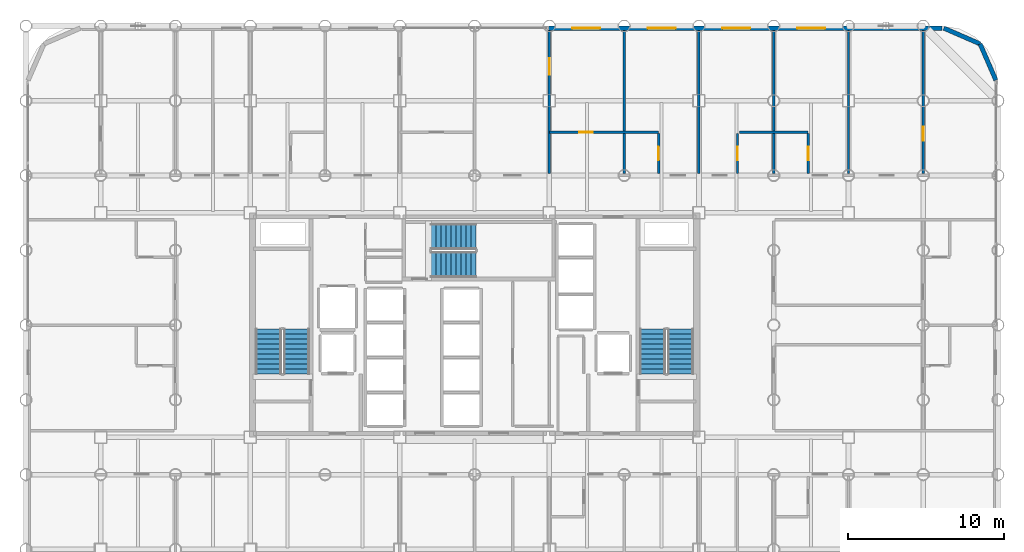
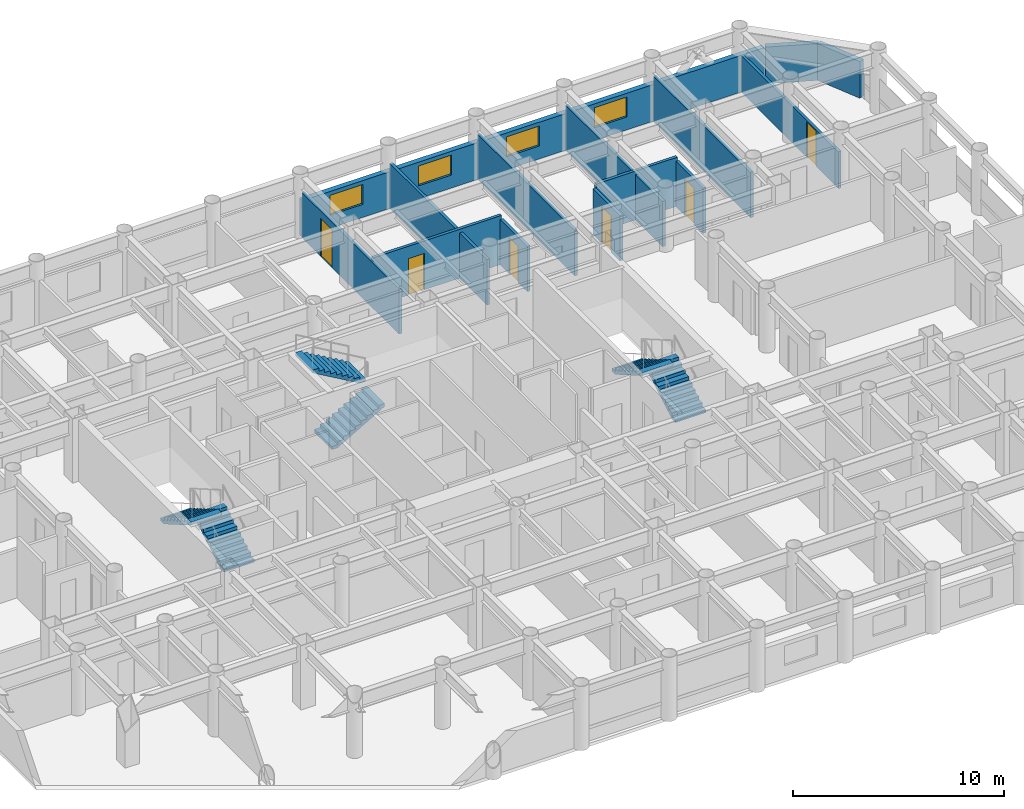
# One storey, part 19 of 20: 14 walls, 6 doors, 6 stair flights, 4 windows, 10 openings, 3 elements without a shape of their own.
"""IFC4 building model written with IfcOpenShell, lengths in metres."""

from ifc_helpers import new_model, si_unit, direction, frame, frame_2d, origin, place, context, subcontext, project, spatial, polyline, rectangle, outline, extrude, material, layer, layer_set, type_object, element, fill, aggregate, save


model = new_model("IFC4")

# Units and contexts
model_context = context("Model", 3, precision=1e-05, world=origin(), true_north=direction((0.0, 1.0)))
body_context = subcontext(model_context, "Body", "Model", "MODEL_VIEW")
ifc_project = project(units=[si_unit("LENGTHUNIT", "METRE"), si_unit("AREAUNIT", "SQUARE_METRE"), si_unit("VOLUMEUNIT", "CUBIC_METRE"), si_unit("PLANEANGLEUNIT", "RADIAN"), si_unit("MASSUNIT", "GRAM", prefix="KILO")], contexts=[model_context])

# Site, building, storey
site_placement = place(None, origin())
site = spatial("IfcSite", under=ifc_project, at=site_placement, CompositionType="ELEMENT")
building_placement = place(site_placement, origin())
building = spatial("IfcBuilding", under=site, at=building_placement, Name="Kallvorn Hotel Tower", CompositionType="ELEMENT")
storey_placement = place(building_placement, frame((0.0, 0.0, 74.39990234375)))
storey = spatial("IfcBuildingStorey", under=building, at=storey_placement, Name="L17", CompositionType="ELEMENT", Elevation=74.39990234375)

# Wall, opening, door
ifc_material_1 = material(Name="Fire-rated double-layer acoustic gypsum drywall EI 60")
ifc_layer_1 = layer(ifc_material_1, 0.159912109375)
ifc_layer_set_1 = layer_set([ifc_layer_1], Name="WL_DEMISE_160")
wall_type_1 = type_object("IfcWallType", Name="WL_DEMISE_160", PredefinedType="PARTITIONING", material=ifc_layer_set_1)
wall_1_placement = place(storey_placement, frame((4.800048828125, 12.3701171875, 0.0), z_axis=(0.0, 0.0, 1.0), x_axis=(1.0, 0.0, 0.0)))
wall_1 = element("IfcWall", 1, at=wall_1_placement, inside=storey, type_object=wall_type_1, Name="L17 Suite 1711 Junior Bedroom Partition", PredefinedType="PARTITIONING", context=body_context, shape_type="SweptSolid", body=[
    extrude(rectangle(XDim=7.010009765625, YDim=0.159912109375, at=frame_2d((3.5048828125, 0.0))), origin(), (0.0, 0.0, 1.0), 2.820068359375),
])
opening_1_placement = place(wall_1_placement, frame((1.929931640625, 0.0, 0.0)))
opening_1 = element("IfcOpeningElement", 2, at=opening_1_placement, cuts=wall_1, Name="Opening BD-I", PredefinedType="OPENING", context=body_context, shape_type="SweptSolid", body=[
    extrude(rectangle(XDim=0.860107421875, YDim=2.10009765625, at=frame_2d((0.43017578125, 1.050048828125))), frame((0.0, 0.094970703125, 0.0), z_axis=(0.0, -1.0, 0.0), x_axis=(1.0, 0.0, 0.0)), (0.0, 0.0, 1.0), 0.18994140625),
])
ifc_material_2 = material(Name="Solid-core walnut veneer fire-rated timber door leaf", Category="wood")
door_type_1 = type_object("IfcDoorType", Name="DR_BATH_860x2100", OperationType="NOTDEFINED", PredefinedType="DOOR", material=ifc_material_2)
door_1_placement = place(opening_1_placement, origin())
door_1 = element("IfcDoor", 3, at=door_1_placement, inside=storey, type_object=door_type_1, Name="L17 Suite 1711 En-Suite Bathroom Door", OperationType="SINGLE_SWING_LEFT", OverallHeight=2.10009765625, OverallWidth=0.860107421875, PredefinedType="DOOR", context=body_context, shape_type="SweptSolid", body=[
    extrude(rectangle(XDim=0.860107421875, YDim=2.10009765625, at=frame_2d((0.43017578125, 1.050048828125))), frame((0.0, 0.02490234375, 0.0), z_axis=(0.0, -1.0, 0.0), x_axis=(1.0, 0.0, 0.0)), (0.0, 0.0, 1.0), 0.050048828125),
])
fill(opening_1, door_1)

# Wall
wall_2_placement = place(storey_placement, frame((16.989990234375, 12.3701171875, 0.0), z_axis=(0.0, 0.0, 1.0), x_axis=(1.0, 0.0, 0.0)))
element("IfcWall", 4, at=wall_2_placement, inside=storey, type_object=wall_type_1, Name="L17 Suite 1713 Standard Twin Room Partition", PredefinedType="PARTITIONING", context=body_context, shape_type="SweptSolid", body=[
    extrude(rectangle(XDim=4.419921875, YDim=0.159912109375, at=frame_2d((2.2099609375, 0.0))), origin(), (0.0, 0.0, 1.0), 2.820068359375),
])

# Wall, opening, door
wall_3_placement = place(storey_placement, frame((4.800048828125, 9.719970703125, 0.0), z_axis=(0.0, 0.0, 1.0), x_axis=(0.0, 1.0, 0.0)))
wall_3 = element("IfcWall", 5, at=wall_3_placement, inside=storey, type_object=wall_type_1, Name="L17 Suite 1711 Junior Living Salon Partition", PredefinedType="PARTITIONING", context=body_context, shape_type="SweptSolid", body=[
    extrude(rectangle(XDim=9.18994140625, YDim=0.159912109375, at=frame_2d((4.594970703125, 0.0))), origin(), (0.0, 0.0, 1.0), 2.6201171875),
])
opening_2_placement = place(wall_3_placement, frame((6.346923828125, 0.0, 0.0)))
opening_2 = element("IfcOpeningElement", 6, at=opening_2_placement, cuts=wall_3, Name="Opening GD2", PredefinedType="OPENING", context=body_context, shape_type="SweptSolid", body=[
    extrude(rectangle(XDim=1.050048828125, YDim=2.199951171875, at=frame_2d((0.52490234375, 1.10009765625))), frame((0.0, 0.094970703125, 0.0), z_axis=(0.0, -1.0, 0.0), x_axis=(1.0, 0.0, 0.0)), (0.0, 0.0, 1.0), 0.18994140625),
])
ifc_material_3 = material(Name="Solid-core walnut veneer fire-rated timber door leaf", Category="wood")
door_type_2 = type_object("IfcDoorType", Name="DR_SUITE_1050x2200", OperationType="NOTDEFINED", PredefinedType="DOOR", material=ifc_material_3)
door_2_placement = place(opening_2_placement, origin())
door_2 = element("IfcDoor", 7, at=door_2_placement, inside=storey, type_object=door_type_2, Name="L17 Suite 1711 Junior Bedroom Door", OperationType="SINGLE_SWING_RIGHT", OverallHeight=2.199951171875, OverallWidth=1.050048828125, PredefinedType="DOOR", context=body_context, shape_type="SweptSolid", body=[
    extrude(rectangle(XDim=1.050048828125, YDim=2.199951171875, at=frame_2d((0.52490234375, 1.10009765625))), frame((0.0, 0.02490234375, 0.0), z_axis=(0.0, -1.0, 0.0), x_axis=(1.0, 0.0, 0.0)), (0.0, 0.0, 1.0), 0.050048828125),
])
fill(opening_2, door_2)

# Wall
wall_4_placement = place(storey_placement, frame((9.60009765625, 9.719970703125, 0.0), z_axis=(0.0, 0.0, 1.0), x_axis=(0.0, 1.0, 0.0)))
element("IfcWall", 8, at=wall_4_placement, inside=storey, type_object=wall_type_1, Name="L17 Suite 1712 Standard Twin Room Partition", PredefinedType="PARTITIONING", context=body_context, shape_type="SweptSolid", body=[
    extrude(rectangle(XDim=9.18994140625, YDim=0.159912109375, at=frame_2d((4.594970703125, 0.0))), origin(), (0.0, 0.0, 1.0), 2.6201171875),
])

# Wall, opening, door
wall_5_placement = place(storey_placement, frame((11.81005859375, 9.719970703125, 0.0), z_axis=(0.0, 0.0, 1.0), x_axis=(0.0, 1.0, 0.0)))
wall_5 = element("IfcWall", 9, at=wall_5_placement, inside=storey, type_object=wall_type_1, Name="L17 Suite 1712 Standard Twin Room Partition", PredefinedType="PARTITIONING", context=body_context, shape_type="SweptSolid", body=[
    extrude(rectangle(XDim=2.56494140625, YDim=0.159912109375, at=frame_2d((1.282470703125, 0.0))), origin(), (0.0, 0.0, 1.0), 2.6201171875),
])
opening_3_placement = place(wall_5_placement, frame((0.8701171875, 0.0, 0.0)))
opening_3 = element("IfcOpeningElement", 10, at=opening_3_placement, cuts=wall_5, Name="Opening BD-I", PredefinedType="OPENING", context=body_context, shape_type="SweptSolid", body=[
    extrude(rectangle(XDim=0.860107421875, YDim=2.10009765625, at=frame_2d((0.43017578125, 1.050048828125))), frame((0.0, 0.094970703125, 0.0), z_axis=(0.0, -1.0, 0.0), x_axis=(1.0, 0.0, 0.0)), (0.0, 0.0, 1.0), 0.18994140625),
])
door_3_placement = place(opening_3_placement, origin())
door_3 = element("IfcDoor", 11, at=door_3_placement, inside=storey, type_object=door_type_1, Name="L17 Suite 1712 En-Suite Bathroom Door", OperationType="SINGLE_SWING_LEFT", OverallHeight=2.10009765625, OverallWidth=0.860107421875, PredefinedType="DOOR", context=body_context, shape_type="SweptSolid", body=[
    extrude(rectangle(XDim=0.860107421875, YDim=2.10009765625, at=frame_2d((0.43017578125, 1.050048828125))), frame((0.0, 0.02490234375, 0.0), z_axis=(0.0, -1.0, 0.0), x_axis=(1.0, 0.0, 0.0)), (0.0, 0.0, 1.0), 0.050048828125),
])
fill(opening_3, door_3)

# Wall
wall_6_placement = place(storey_placement, frame((14.39990234375, 9.719970703125, 0.0), z_axis=(0.0, 0.0, 1.0), x_axis=(0.0, 1.0, 0.0)))
element("IfcWall", 12, at=wall_6_placement, inside=storey, type_object=wall_type_1, Name="L17 Suite 1712 Standard Twin Room Partition", PredefinedType="PARTITIONING", context=body_context, shape_type="SweptSolid", body=[
    extrude(rectangle(XDim=9.18994140625, YDim=0.159912109375, at=frame_2d((4.594970703125, 0.0))), origin(), (0.0, 0.0, 1.0), 2.6201171875),
])

# Wall, opening, door
wall_7_placement = place(storey_placement, frame((16.875, 9.719970703125, 0.0), z_axis=(0.0, 0.0, 1.0), x_axis=(0.0, 1.0, 0.0)))
wall_7 = element("IfcWall", 13, at=wall_7_placement, inside=storey, type_object=wall_type_1, Name="L17 Suite 1713 Standard Twin Room Partition", PredefinedType="PARTITIONING", context=body_context, shape_type="SweptSolid", body=[
    extrude(rectangle(XDim=2.56494140625, YDim=0.159912109375, at=frame_2d((1.282470703125, 0.0))), origin(), (0.0, 0.0, 1.0), 2.6201171875),
])
opening_4_placement = place(wall_7_placement, frame((0.8701171875, 0.0, 0.0)))
opening_4 = element("IfcOpeningElement", 14, at=opening_4_placement, cuts=wall_7, Name="Opening BD-I", PredefinedType="OPENING", context=body_context, shape_type="SweptSolid", body=[
    extrude(rectangle(XDim=0.860107421875, YDim=2.10009765625, at=frame_2d((0.43017578125, 1.050048828125))), frame((0.0, 0.094970703125, 0.0), z_axis=(0.0, -1.0, 0.0), x_axis=(1.0, 0.0, 0.0)), (0.0, 0.0, 1.0), 0.18994140625),
])
door_4_placement = place(opening_4_placement, origin())
door_4 = element("IfcDoor", 15, at=door_4_placement, inside=storey, type_object=door_type_1, Name="L17 Suite 1713 En-Suite Bathroom Door", OperationType="SINGLE_SWING_RIGHT", OverallHeight=2.10009765625, OverallWidth=0.860107421875, PredefinedType="DOOR", context=body_context, shape_type="SweptSolid", body=[
    extrude(rectangle(XDim=0.860107421875, YDim=2.10009765625, at=frame_2d((0.43017578125, 1.050048828125))), frame((0.0, 0.02490234375, 0.0), z_axis=(0.0, -1.0, 0.0), x_axis=(1.0, 0.0, 0.0)), (0.0, 0.0, 1.0), 0.050048828125),
])
fill(opening_4, door_4)

# Wall
wall_8_placement = place(storey_placement, frame((19.199951171875, 9.719970703125, 0.0), z_axis=(0.0, 0.0, 1.0), x_axis=(0.0, 1.0, 0.0)))
element("IfcWall", 16, at=wall_8_placement, inside=storey, type_object=wall_type_1, Name="L17 Suite 1713 Standard Twin Room Partition", PredefinedType="PARTITIONING", context=body_context, shape_type="SweptSolid", body=[
    extrude(rectangle(XDim=9.18994140625, YDim=0.159912109375, at=frame_2d((4.594970703125, 0.0))), origin(), (0.0, 0.0, 1.0), 2.6201171875),
])

# Wall, opening, door
wall_9_placement = place(storey_placement, frame((21.409912109375, 9.719970703125, 0.0), z_axis=(0.0, 0.0, 1.0), x_axis=(0.0, 1.0, 0.0)))
wall_9 = element("IfcWall", 17, at=wall_9_placement, inside=storey, type_object=wall_type_1, Name="L17 Suite 1714 Standard Twin Room Partition", PredefinedType="PARTITIONING", context=body_context, shape_type="SweptSolid", body=[
    extrude(rectangle(XDim=2.56494140625, YDim=0.159912109375, at=frame_2d((1.282470703125, 0.0))), origin(), (0.0, 0.0, 1.0), 2.6201171875),
])
opening_5_placement = place(wall_9_placement, frame((0.8701171875, 0.0, 0.0)))
opening_5 = element("IfcOpeningElement", 18, at=opening_5_placement, cuts=wall_9, Name="Opening BD-I", PredefinedType="OPENING", context=body_context, shape_type="SweptSolid", body=[
    extrude(rectangle(XDim=0.860107421875, YDim=2.10009765625, at=frame_2d((0.43017578125, 1.050048828125))), frame((0.0, 0.094970703125, 0.0), z_axis=(0.0, -1.0, 0.0), x_axis=(1.0, 0.0, 0.0)), (0.0, 0.0, 1.0), 0.18994140625),
])
door_5_placement = place(opening_5_placement, origin())
door_5 = element("IfcDoor", 19, at=door_5_placement, inside=storey, type_object=door_type_1, Name="L17 Suite 1714 En-Suite Bathroom Door", OperationType="SINGLE_SWING_RIGHT", OverallHeight=2.10009765625, OverallWidth=0.860107421875, PredefinedType="DOOR", context=body_context, shape_type="SweptSolid", body=[
    extrude(rectangle(XDim=0.860107421875, YDim=2.10009765625, at=frame_2d((0.43017578125, 1.050048828125))), frame((0.0, 0.02490234375, 0.0), z_axis=(0.0, -1.0, 0.0), x_axis=(1.0, 0.0, 0.0)), (0.0, 0.0, 1.0), 0.050048828125),
])
fill(opening_5, door_5)

# Walls
wall_10_placement = place(storey_placement, frame((24.0, 9.719970703125, 0.0), z_axis=(0.0, 0.0, 1.0), x_axis=(0.0, 1.0, 0.0)))
element("IfcWall", 20, at=wall_10_placement, inside=storey, type_object=wall_type_1, Name="L17 Suite 1714 Standard Twin Room Partition", PredefinedType="PARTITIONING", context=body_context, shape_type="SweptSolid", body=[
    extrude(rectangle(XDim=9.18994140625, YDim=0.159912109375, at=frame_2d((4.594970703125, 0.0))), origin(), (0.0, 0.0, 1.0), 2.6201171875),
])
ifc_material_4 = material(Name="Precast basalt-clad insulated concrete wall C40/50", Category="masonry")
ifc_layer_2 = layer(ifc_material_4, 0.280029296875)
ifc_layer_set_2 = layer_set([ifc_layer_2], Name="WL_EXT_LOGGIA_280")
wall_type_2 = type_object("IfcWallType", Name="WL_EXT_LOGGIA_280", PredefinedType="SOLIDWALL", material=ifc_layer_set_2)
wall_11_placement = place(storey_placement, frame((33.4580078125, 15.720703125, 0.0), z_axis=(0.0, 0.0, 1.0), x_axis=(-0.398792985289, 0.917040977756, 0.0)))
element("IfcWall", 21, at=wall_11_placement, inside=storey, type_object=wall_type_2, Name="L17 Rounded Corner Exterior Wall NE1", PredefinedType="SOLIDWALL", context=body_context, shape_type="SweptSolid", body=[
    extrude(rectangle(XDim=2.536376953125, YDim=0.280029296875, at=frame_2d((1.26806640625, 0.0))), origin(), (0.0, 0.0, 1.0), 2.1201171875),
])
wall_12_placement = place(storey_placement, frame((32.446533203125, 18.046630859375, 0.0), z_axis=(0.0, 0.0, 1.0), x_axis=(-0.917060872934, 0.398747232384, 0.0)))
element("IfcWall", 22, at=wall_12_placement, inside=storey, type_object=wall_type_2, Name="L17 Rounded Corner Exterior Wall NE2", PredefinedType="SOLIDWALL", context=body_context, shape_type="SweptSolid", body=[
    extrude(rectangle(XDim=2.5361328125, YDim=0.280029296875, at=frame_2d((1.26806640625, 0.0))), origin(), (0.0, 0.0, 1.0), 2.1201171875),
])

# Wall, openings, windows
wall_13_placement = place(storey_placement, frame((4.75, 19.06005859375, 0.0), z_axis=(0.0, 0.0, 1.0), x_axis=(1.0, 0.0, 0.0)))
wall_13 = element("IfcWall", 23, at=wall_13_placement, inside=storey, type_object=wall_type_2, Name="L17 Exterior Envelope Wall EW-L17-NE", PredefinedType="SOLIDWALL", context=body_context, shape_type="SweptSolid", body=[
    extrude(rectangle(XDim=25.25, YDim=0.280029296875, at=frame_2d((12.625, 0.0))), origin(), (0.0, 0.0, 1.0), 2.1201171875),
])
opening_6_placement = place(wall_13_placement, frame((1.510009765625, 0.0, 0.75)))
opening_6 = element("IfcOpeningElement", 24, at=opening_6_placement, cuts=wall_13, Name="Opening W04A", PredefinedType="OPENING", context=body_context, shape_type="SweptSolid", body=[
    extrude(rectangle(XDim=1.800048828125, YDim=1.14990234375, at=frame_2d((0.89990234375, 0.574951171875))), frame((0.0, 0.155029296875, 0.0), z_axis=(0.0, -1.0, 0.0), x_axis=(1.0, 0.0, 0.0)), (0.0, 0.0, 1.0), 0.31005859375),
])
opening_7_placement = place(wall_13_placement, frame((6.35009765625, 0.0, 0.75)))
opening_7 = element("IfcOpeningElement", 25, at=opening_7_placement, cuts=wall_13, Name="Opening W04A", PredefinedType="OPENING", context=body_context, shape_type="SweptSolid", body=[
    extrude(rectangle(XDim=1.800048828125, YDim=1.14990234375, at=frame_2d((0.89990234375, 0.574951171875))), frame((0.0, 0.155029296875, 0.0), z_axis=(0.0, -1.0, 0.0), x_axis=(1.0, 0.0, 0.0)), (0.0, 0.0, 1.0), 0.31005859375),
])
opening_8_placement = place(wall_13_placement, frame((11.14990234375, 0.0, 0.75)))
opening_8 = element("IfcOpeningElement", 26, at=opening_8_placement, cuts=wall_13, Name="Opening W04A", PredefinedType="OPENING", context=body_context, shape_type="SweptSolid", body=[
    extrude(rectangle(XDim=1.800048828125, YDim=1.14990234375, at=frame_2d((0.89990234375, 0.574951171875))), frame((0.0, 0.155029296875, 0.0), z_axis=(0.0, -1.0, 0.0), x_axis=(1.0, 0.0, 0.0)), (0.0, 0.0, 1.0), 0.31005859375),
])
opening_9_placement = place(wall_13_placement, frame((15.949951171875, 0.0, 0.75)))
opening_9 = element("IfcOpeningElement", 27, at=opening_9_placement, cuts=wall_13, Name="Opening W04A", PredefinedType="OPENING", context=body_context, shape_type="SweptSolid", body=[
    extrude(rectangle(XDim=1.800048828125, YDim=1.14990234375, at=frame_2d((0.89990234375, 0.574951171875))), frame((0.0, 0.155029296875, 0.0), z_axis=(0.0, -1.0, 0.0), x_axis=(1.0, 0.0, 0.0)), (0.0, 0.0, 1.0), 0.31005859375),
])
ifc_material_5 = material(Name="Double-glazed low-e solar-control dark glass", Category="glass")
window_type = type_object("IfcWindowType", Name="WN_HTL_1800x1150", PartitioningType="SINGLE_PANEL", PredefinedType="WINDOW", material=ifc_material_5)
window_1_placement = place(opening_6_placement, origin())
window_1 = element("IfcWindow", 28, at=window_1_placement, inside=storey, type_object=window_type, Name="L17 Guestroom Exterior Window 11", OverallHeight=1.14990234375, OverallWidth=1.800048828125, PartitioningType="SINGLE_PANEL", PredefinedType="WINDOW", context=body_context, shape_type="SweptSolid", body=[
    extrude(rectangle(XDim=1.800048828125, YDim=1.14990234375, at=frame_2d((0.89990234375, 0.574951171875))), frame((0.0, 0.030029296875, 0.0), z_axis=(0.0, -1.0, 0.0), x_axis=(1.0, 0.0, 0.0)), (0.0, 0.0, 1.0), 0.06005859375),
])
fill(opening_6, window_1)
window_2_placement = place(opening_7_placement, origin())
window_2 = element("IfcWindow", 29, at=window_2_placement, inside=storey, type_object=window_type, Name="L17 Guestroom Exterior Window 12", OverallHeight=1.14990234375, OverallWidth=1.800048828125, PartitioningType="SINGLE_PANEL", PredefinedType="WINDOW", context=body_context, shape_type="SweptSolid", body=[
    extrude(rectangle(XDim=1.800048828125, YDim=1.14990234375, at=frame_2d((0.89990234375, 0.574951171875))), frame((0.0, 0.030029296875, 0.0), z_axis=(0.0, -1.0, 0.0), x_axis=(1.0, 0.0, 0.0)), (0.0, 0.0, 1.0), 0.06005859375),
])
fill(opening_7, window_2)
window_3_placement = place(opening_8_placement, origin())
window_3 = element("IfcWindow", 30, at=window_3_placement, inside=storey, type_object=window_type, Name="L17 Guestroom Exterior Window 13", OverallHeight=1.14990234375, OverallWidth=1.800048828125, PartitioningType="SINGLE_PANEL", PredefinedType="WINDOW", context=body_context, shape_type="SweptSolid", body=[
    extrude(rectangle(XDim=1.800048828125, YDim=1.14990234375, at=frame_2d((0.89990234375, 0.574951171875))), frame((0.0, 0.030029296875, 0.0), z_axis=(0.0, -1.0, 0.0), x_axis=(1.0, 0.0, 0.0)), (0.0, 0.0, 1.0), 0.06005859375),
])
fill(opening_8, window_3)
window_4_placement = place(opening_9_placement, origin())
window_4 = element("IfcWindow", 31, at=window_4_placement, inside=storey, type_object=window_type, Name="L17 Guestroom Exterior Window 14", OverallHeight=1.14990234375, OverallWidth=1.800048828125, PartitioningType="SINGLE_PANEL", PredefinedType="WINDOW", context=body_context, shape_type="SweptSolid", body=[
    extrude(rectangle(XDim=1.800048828125, YDim=1.14990234375, at=frame_2d((0.89990234375, 0.574951171875))), frame((0.0, 0.030029296875, 0.0), z_axis=(0.0, -1.0, 0.0), x_axis=(1.0, 0.0, 0.0)), (0.0, 0.0, 1.0), 0.06005859375),
])
fill(opening_9, window_4)

# Wall, opening, door
ifc_material_6 = material(Name="Fire-rated double-layer acoustic gypsum drywall EI 60")
ifc_layer_3 = layer(ifc_material_6, 0.14990234375)
ifc_layer_set_3 = layer_set([ifc_layer_3], Name="WL_PART_150")
wall_type_3 = type_object("IfcWallType", Name="WL_PART_150", PredefinedType="PARTITIONING", material=ifc_layer_set_3)
wall_14_placement = place(storey_placement, frame((28.800048828125, 9.719970703125, 0.0), z_axis=(0.0, 0.0, 1.0), x_axis=(0.0, 1.0, 0.0)))
wall_14 = element("IfcWall", 32, at=wall_14_placement, inside=storey, type_object=wall_type_3, Name="L17 L17 North-East Reading Club A Partition", PredefinedType="PARTITIONING", context=body_context, shape_type="SweptSolid", body=[
    extrude(rectangle(XDim=9.18994140625, YDim=0.14990234375, at=frame_2d((4.594970703125, 0.0))), origin(), (0.0, 0.0, 1.0), 2.1201171875),
])
opening_10_placement = place(wall_14_placement, frame((2.10791015625, 0.0, 0.0)))
opening_10 = element("IfcOpeningElement", 33, at=opening_10_placement, cuts=wall_14, Name="Opening SVD1A", PredefinedType="OPENING", context=body_context, shape_type="SweptSolid", body=[
    extrude(rectangle(XDim=0.89990234375, YDim=2.02001953125, at=frame_2d((0.449951171875, 1.010009765625))), frame((0.0, 0.08984375, 0.0), z_axis=(0.0, -1.0, 0.0), x_axis=(1.0, 0.0, 0.0)), (0.0, 0.0, 1.0), 0.179931640625),
])
ifc_material_7 = material(Name="Galvanised painted steel fire-rated door assembly", Category="steel")
door_type_3 = type_object("IfcDoorType", Name="DR_SERV_900x2020", OperationType="NOTDEFINED", PredefinedType="DOOR", material=ifc_material_7)
door_6_placement = place(opening_10_placement, origin())
door_6 = element("IfcDoor", 34, at=door_6_placement, inside=storey, type_object=door_type_3, Name="L17 L17 North-East Reading Club B Door", OperationType="SINGLE_SWING_RIGHT", OverallHeight=2.02001953125, OverallWidth=0.89990234375, PredefinedType="DOOR", context=body_context, shape_type="SweptSolid", body=[
    extrude(rectangle(XDim=0.89990234375, YDim=2.02001953125, at=frame_2d((0.449951171875, 1.010009765625))), frame((0.0, 0.02490234375, 0.0), z_axis=(0.0, -1.0, 0.0), x_axis=(1.0, 0.0, 0.0)), (0.0, 0.0, 1.0), 0.050048828125),
])
fill(opening_10, door_6)

# Stair, stair flights
ifc_material_8 = material(Name="Precast concrete C40/50", Category="concrete")
stair_type = type_object("IfcStairType", Name="STR_CORE_DOGLEG", PredefinedType="HALF_TURN_STAIR", material=ifc_material_8)
stair_1_placement = place(storey_placement, origin())
stair_1 = element("IfcStair", 35, at=stair_1_placement, inside=storey, type_object=stair_type, Name="L17 Exit stair ST1", PredefinedType="HALF_TURN_STAIR")
ifc_material_9 = material(Name="Precast concrete C40/50", Category="concrete")
stair_flight_type = type_object("IfcStairFlightType", Name="FLT_CORE_1660", PredefinedType="STRAIGHT", material=ifc_material_9)
stair_flight_1_placement = place(storey_placement, frame((-11.429931640625, -3.139892578125, 0.0), z_axis=(0.0, 0.0, 1.0), x_axis=(0.0, 1.0, 0.0)))
stair_flight_1 = element("IfcStairFlight", 36, at=stair_flight_1_placement, type_object=stair_flight_type, Name="ST1 flight 1", NumberOfRisers=10, NumberOfTreads=9, PredefinedType="STRAIGHT", RiserHeight=0.185, TreadLength=0.32, context=body_context, shape_type="SweptSolid", body=[
    extrude(outline(polyline([(0.0, 0.0), (0.0, 0.18505859375), (0.320068359375, 0.18505859375), (0.320068359375, 0.3701171875), (0.639892578125, 0.3701171875), (0.639892578125, 0.554931640625), (0.9599609375, 0.554931640625), (0.9599609375, 0.739990234375), (1.280029296875, 0.739990234375), (1.280029296875, 0.925048828125), (1.60009765625, 0.925048828125), (1.60009765625, 1.110107421875), (1.919921875, 1.110107421875), (1.919921875, 1.294921875), (2.239990234375, 1.294921875), (2.239990234375, 1.47998046875), (2.56005859375, 1.47998046875), (2.56005859375, 1.6650390625), (2.8798828125, 1.6650390625), (2.8798828125, 1.85009765625), (2.8798828125, 1.491943359375), (0.299560546875, 0.0), (0.0, 0.0)])), frame((0.0, 0.830078125, 0.0), z_axis=(0.0, -1.0, 0.0), x_axis=(1.0, 0.0, 0.0)), (0.0, 0.0, 1.0), 1.659912109375),
])
stair_flight_2_placement = place(storey_placement, frame((-13.22998046875, -0.260009765625, 1.85009765625), z_axis=(0.0, 0.0, 1.0), x_axis=(0.0, -1.0, 0.0)))
stair_flight_2 = element("IfcStairFlight", 37, at=stair_flight_2_placement, type_object=stair_flight_type, Name="ST1 flight 2", NumberOfRisers=10, NumberOfTreads=9, PredefinedType="STRAIGHT", RiserHeight=0.185, TreadLength=0.32, context=body_context, shape_type="SweptSolid", body=[
    extrude(outline(polyline([(0.0, 0.0), (0.0, 0.18505859375), (0.320068359375, 0.18505859375), (0.320068359375, 0.3701171875), (0.639892578125, 0.3701171875), (0.639892578125, 0.554931640625), (0.9599609375, 0.554931640625), (0.9599609375, 0.739990234375), (1.280029296875, 0.739990234375), (1.280029296875, 0.925048828125), (1.60009765625, 0.925048828125), (1.60009765625, 1.110107421875), (1.919921875, 1.110107421875), (1.919921875, 1.294921875), (2.239990234375, 1.294921875), (2.239990234375, 1.47998046875), (2.56005859375, 1.47998046875), (2.56005859375, 1.6650390625), (2.8798828125, 1.6650390625), (2.8798828125, 1.85009765625), (2.8798828125, 1.491943359375), (0.299560546875, 0.0), (0.0, 0.0)])), frame((0.0, 0.830078125, 0.0), z_axis=(0.0, -1.0, 0.0), x_axis=(1.0, 0.0, 0.0)), (0.0, 0.0, 1.0), 1.659912109375),
])
aggregate(stair_1, [stair_flight_1, stair_flight_2])

stair_2_placement = place(storey_placement, origin())
stair_2 = element("IfcStair", 38, at=stair_2_placement, inside=storey, type_object=stair_type, Name="L17 Exit stair ST2", PredefinedType="HALF_TURN_STAIR")
stair_flight_3_placement = place(storey_placement, frame((13.22998046875, -3.139892578125, 0.0), z_axis=(0.0, 0.0, 1.0), x_axis=(0.0, 1.0, 0.0)))
stair_flight_3 = element("IfcStairFlight", 39, at=stair_flight_3_placement, type_object=stair_flight_type, Name="ST2 flight 1", NumberOfRisers=10, NumberOfTreads=9, PredefinedType="STRAIGHT", RiserHeight=0.185, TreadLength=0.32, context=body_context, shape_type="SweptSolid", body=[
    extrude(outline(polyline([(0.0, 0.0), (0.0, 0.18505859375), (0.320068359375, 0.18505859375), (0.320068359375, 0.3701171875), (0.639892578125, 0.3701171875), (0.639892578125, 0.554931640625), (0.9599609375, 0.554931640625), (0.9599609375, 0.739990234375), (1.280029296875, 0.739990234375), (1.280029296875, 0.925048828125), (1.60009765625, 0.925048828125), (1.60009765625, 1.110107421875), (1.919921875, 1.110107421875), (1.919921875, 1.294921875), (2.239990234375, 1.294921875), (2.239990234375, 1.47998046875), (2.56005859375, 1.47998046875), (2.56005859375, 1.6650390625), (2.8798828125, 1.6650390625), (2.8798828125, 1.85009765625), (2.8798828125, 1.491943359375), (0.299560546875, 0.0), (0.0, 0.0)])), frame((0.0, 0.830078125, 0.0), z_axis=(0.0, -1.0, 0.0), x_axis=(1.0, 0.0, 0.0)), (0.0, 0.0, 1.0), 1.659912109375),
])
stair_flight_4_placement = place(storey_placement, frame((11.429931640625, -0.260009765625, 1.85009765625), z_axis=(0.0, 0.0, 1.0), x_axis=(0.0, -1.0, 0.0)))
stair_flight_4 = element("IfcStairFlight", 40, at=stair_flight_4_placement, type_object=stair_flight_type, Name="ST2 flight 2", NumberOfRisers=10, NumberOfTreads=9, PredefinedType="STRAIGHT", RiserHeight=0.185, TreadLength=0.32, context=body_context, shape_type="SweptSolid", body=[
    extrude(outline(polyline([(0.0, 0.0), (0.0, 0.18505859375), (0.320068359375, 0.18505859375), (0.320068359375, 0.3701171875), (0.639892578125, 0.3701171875), (0.639892578125, 0.554931640625), (0.9599609375, 0.554931640625), (0.9599609375, 0.739990234375), (1.280029296875, 0.739990234375), (1.280029296875, 0.925048828125), (1.60009765625, 0.925048828125), (1.60009765625, 1.110107421875), (1.919921875, 1.110107421875), (1.919921875, 1.294921875), (2.239990234375, 1.294921875), (2.239990234375, 1.47998046875), (2.56005859375, 1.47998046875), (2.56005859375, 1.6650390625), (2.8798828125, 1.6650390625), (2.8798828125, 1.85009765625), (2.8798828125, 1.491943359375), (0.299560546875, 0.0), (0.0, 0.0)])), frame((0.0, 0.830078125, 0.0), z_axis=(0.0, -1.0, 0.0), x_axis=(1.0, 0.0, 0.0)), (0.0, 0.0, 1.0), 1.659912109375),
])
aggregate(stair_2, [stair_flight_3, stair_flight_4])

stair_3_placement = place(storey_placement, origin())
stair_3 = element("IfcStair", 41, at=stair_3_placement, inside=storey, type_object=stair_type, Name="L17 Exit stair ST3", PredefinedType="HALF_TURN_STAIR")
stair_flight_5_placement = place(storey_placement, frame((-2.7900390625, 3.8798828125, 0.0), z_axis=(0.0, 0.0, 1.0), x_axis=(1.0, 0.0, 0.0)))
stair_flight_5 = element("IfcStairFlight", 42, at=stair_flight_5_placement, type_object=stair_flight_type, Name="ST3 flight 1", NumberOfRisers=10, NumberOfTreads=9, PredefinedType="STRAIGHT", RiserHeight=0.185, TreadLength=0.32, context=body_context, shape_type="SweptSolid", body=[
    extrude(outline(polyline([(0.0, 0.0), (0.0, 0.18505859375), (0.320068359375, 0.18505859375), (0.320068359375, 0.3701171875), (0.639892578125, 0.3701171875), (0.639892578125, 0.554931640625), (0.9599609375, 0.554931640625), (0.9599609375, 0.739990234375), (1.280029296875, 0.739990234375), (1.280029296875, 0.925048828125), (1.60009765625, 0.925048828125), (1.60009765625, 1.110107421875), (1.919921875, 1.110107421875), (1.919921875, 1.294921875), (2.239990234375, 1.294921875), (2.239990234375, 1.47998046875), (2.56005859375, 1.47998046875), (2.56005859375, 1.6650390625), (2.8798828125, 1.6650390625), (2.8798828125, 1.85009765625), (2.8798828125, 1.491943359375), (0.299560546875, 0.0), (0.0, 0.0)])), frame((0.0, 0.830078125, 0.0), z_axis=(0.0, -1.0, 0.0), x_axis=(1.0, 0.0, 0.0)), (0.0, 0.0, 1.0), 1.659912109375),
])
stair_flight_6_placement = place(storey_placement, frame((0.090087890625, 5.679931640625, 1.85009765625), z_axis=(0.0, 0.0, 1.0), x_axis=(-1.0, 0.0, 0.0)))
stair_flight_6 = element("IfcStairFlight", 43, at=stair_flight_6_placement, type_object=stair_flight_type, Name="ST3 flight 2", NumberOfRisers=10, NumberOfTreads=9, PredefinedType="STRAIGHT", RiserHeight=0.185, TreadLength=0.32, context=body_context, shape_type="SweptSolid", body=[
    extrude(outline(polyline([(0.0, 0.0), (0.0, 0.18505859375), (0.320068359375, 0.18505859375), (0.320068359375, 0.3701171875), (0.639892578125, 0.3701171875), (0.639892578125, 0.554931640625), (0.9599609375, 0.554931640625), (0.9599609375, 0.739990234375), (1.280029296875, 0.739990234375), (1.280029296875, 0.925048828125), (1.60009765625, 0.925048828125), (1.60009765625, 1.110107421875), (1.919921875, 1.110107421875), (1.919921875, 1.294921875), (2.239990234375, 1.294921875), (2.239990234375, 1.47998046875), (2.56005859375, 1.47998046875), (2.56005859375, 1.6650390625), (2.8798828125, 1.6650390625), (2.8798828125, 1.85009765625), (2.8798828125, 1.491943359375), (0.299560546875, 0.0), (0.0, 0.0)])), frame((0.0, 0.830078125, 0.0), z_axis=(0.0, -1.0, 0.0), x_axis=(1.0, 0.0, 0.0)), (0.0, 0.0, 1.0), 1.659912109375),
])
aggregate(stair_3, [stair_flight_5, stair_flight_6])

save(model, "model.ifc")
